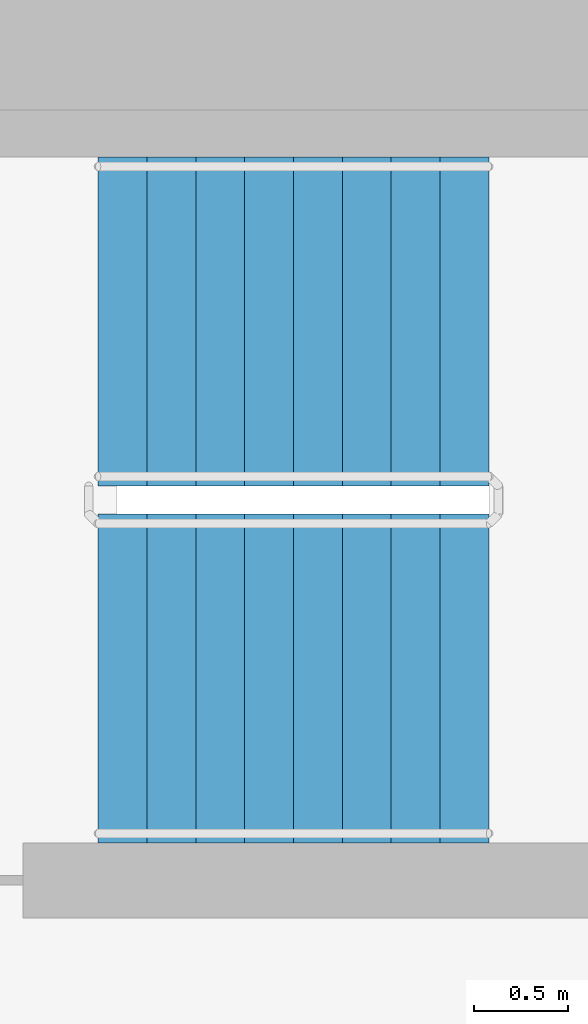
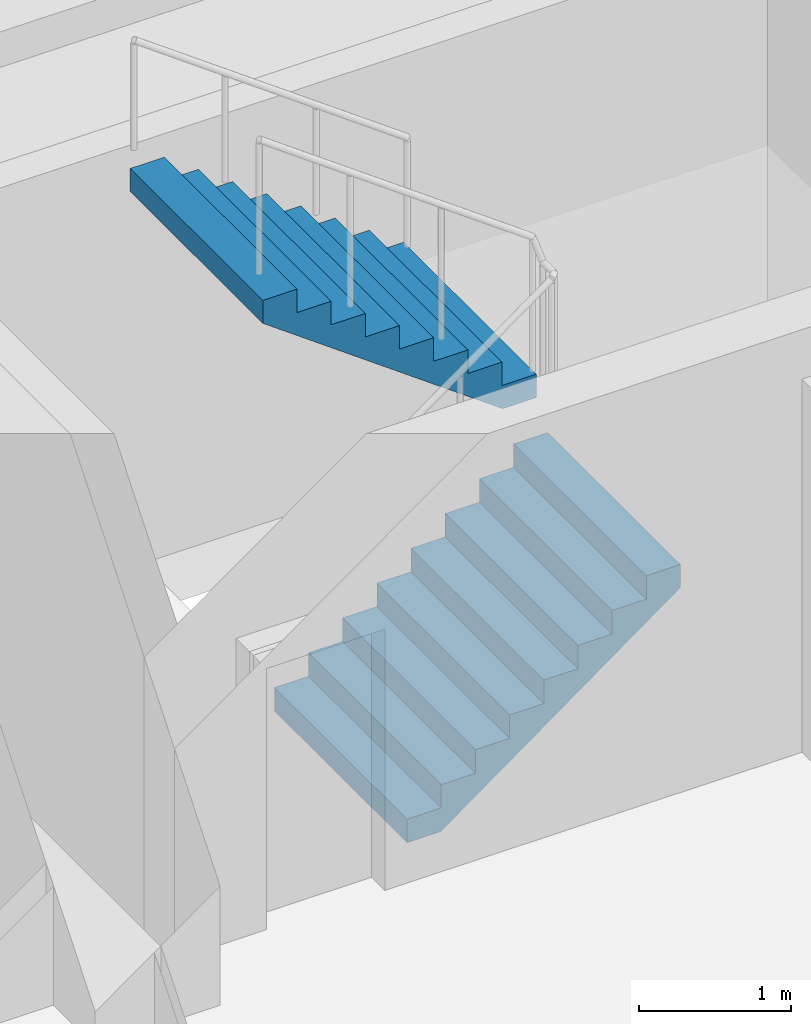
# One storey, part 17 of 22: 2 stair flights, 1 element without a shape of its own.
"""IFC4 building model written with IfcOpenShell, lengths in metres."""

from ifc_helpers import new_model, si_unit, direction, frame, origin, place, context, subcontext, project, spatial, faceted_brep, material, type_object, element, aggregate, save


model = new_model("IFC4")

# Units and contexts
model_context = context("Model", 3, precision=1e-05, world=origin(), true_north=direction((0.0, 1.0)))
body_context = subcontext(model_context, "Body", "Model", "MODEL_VIEW")
ifc_project = project(units=[si_unit("LENGTHUNIT", "METRE"), si_unit("AREAUNIT", "SQUARE_METRE"), si_unit("VOLUMEUNIT", "CUBIC_METRE"), si_unit("PLANEANGLEUNIT", "RADIAN"), si_unit("MASSUNIT", "GRAM", prefix="KILO")], contexts=[model_context])

# Site, building, storey
site_placement = place(None, origin())
site = spatial("IfcSite", under=ifc_project, at=site_placement, CompositionType="ELEMENT")
building_placement = place(site_placement, origin())
building = spatial("IfcBuilding", under=site, at=building_placement, Name="Ipe Terrace Towers", CompositionType="ELEMENT")
storey_placement = place(building_placement, frame((0.0, 0.0, 110.60009765625)))
storey = spatial("IfcBuildingStorey", under=building, at=storey_placement, Name="L30", CompositionType="ELEMENT", Elevation=110.60009765625)

# Stair, stair flights
ifc_material_1 = material(Name="Concrete C30/37", Category="concrete")
stair_type = type_object("IfcStairType", Name="Protected exit stair", PredefinedType="HALF_TURN_STAIR", material=ifc_material_1)
stair_placement = place(storey_placement, origin())
stair = element("IfcStair", 1, at=stair_placement, inside=storey, type_object=stair_type, Name="L30 Exit stair T1-C1", PredefinedType="HALF_TURN_STAIR")
ifc_material_2 = material(Name="Concrete C30/37", Category="concrete")
stair_flight_type = type_object("IfcStairFlightType", Name="Exit stair flight 1750", PredefinedType="STRAIGHT", material=ifc_material_2)
stair_flight_1_placement = place(storey_placement, frame((-26.300048828125, 2.77490234375, 0.0), z_axis=(0.0, 0.0, 1.0), x_axis=(1.0, 0.0, 0.0)))
stair_flight_1 = element("IfcStairFlight", 2, at=stair_flight_1_placement, type_object=stair_flight_type, Name="T1-ST1 flight 1", NumberOfRisers=9, NumberOfTreads=8, PredefinedType="STRAIGHT", RiserHeight=0.188888889, TreadLength=0.26, context=body_context, shape_type="Brep", body=[
    faceted_brep([(0.255126953125, -0.875, 0.0), (2.080078125, -0.875, 1.325927734375), (2.080078125, -0.875, 1.51123046875), (1.820068359375, -0.875, 1.51123046875), (1.820068359375, -0.875, 1.322265625), (1.56005859375, -0.875, 1.322265625), (1.56005859375, -0.875, 1.13330078125), (1.300048828125, -0.875, 1.13330078125), (1.300048828125, -0.875, 0.9443359375), (1.0400390625, -0.875, 0.9443359375), (1.0400390625, -0.875, 0.755615234375), (0.780029296875, -0.875, 0.755615234375), (0.780029296875, -0.875, 0.566650390625), (0.52001953125, -0.875, 0.566650390625), (0.52001953125, -0.875, 0.377685546875), (0.260009765625, -0.875, 0.377685546875), (0.260009765625, -0.875, 0.18896484375), (0.0, -0.875, 0.18896484375), (0.0, -0.875, 0.0), (0.0, 0.875, 0.0), (0.0, 0.875, 0.18896484375), (0.260009765625, 0.875, 0.18896484375), (0.260009765625, 0.875, 0.377685546875), (0.52001953125, 0.875, 0.377685546875), (0.52001953125, 0.875, 0.566650390625), (0.780029296875, 0.875, 0.566650390625), (0.780029296875, 0.875, 0.755615234375), (1.0400390625, 0.875, 0.755615234375), (1.0400390625, 0.875, 0.9443359375), (1.300048828125, 0.875, 0.9443359375), (1.300048828125, 0.875, 1.13330078125), (1.56005859375, 0.875, 1.13330078125), (1.56005859375, 0.875, 1.322265625), (1.820068359375, 0.875, 1.322265625), (1.820068359375, 0.875, 1.51123046875), (2.080078125, 0.875, 1.51123046875), (2.080078125, 0.875, 1.325927734375), (0.255126953125, 0.875, 0.0), (0.0, -0.300048828125, 0.18896484375), (0.0, -0.1201171875, 0.18896484375), (0.0, -0.06005859375, 0.18896484375), (0.0, -0.030029296875, 0.18896484375), (0.0, -0.010009765625, 0.18896484375), (0.0, 0.0, 0.18896484375), (0.0, 0.010009765625, 0.18896484375), (0.0, 0.030029296875, 0.18896484375), (0.0, 0.06005859375, 0.18896484375), (0.0, 0.1201171875, 0.18896484375), (0.0, 0.300048828125, 0.18896484375), (0.0, 0.300048828125, 0.0), (0.0, 0.1201171875, 0.0), (0.0, 0.06005859375, 0.0), (0.0, 0.030029296875, 0.0), (0.0, 0.010009765625, 0.0), (0.0, 0.0, 0.0), (0.0, -0.010009765625, 0.0), (0.0, -0.030029296875, 0.0), (0.0, -0.06005859375, 0.0), (0.0, -0.1201171875, 0.0), (0.0, -0.300048828125, 0.0), (0.260009765625, -0.300048828125, 0.18896484375), (0.260009765625, -0.1201171875, 0.18896484375), (0.260009765625, -0.06005859375, 0.18896484375), (0.260009765625, -0.030029296875, 0.18896484375), (0.260009765625, -0.010009765625, 0.18896484375), (0.260009765625, 0.0, 0.18896484375), (0.260009765625, 0.010009765625, 0.18896484375), (0.260009765625, 0.030029296875, 0.18896484375), (0.260009765625, 0.06005859375, 0.18896484375), (0.260009765625, 0.1201171875, 0.18896484375), (0.260009765625, 0.300048828125, 0.18896484375), (0.260009765625, -0.300048828125, 0.377685546875), (0.260009765625, -0.1201171875, 0.377685546875), (0.260009765625, -0.06005859375, 0.377685546875), (0.260009765625, -0.030029296875, 0.377685546875), (0.260009765625, -0.010009765625, 0.377685546875), (0.260009765625, 0.0, 0.377685546875), (0.260009765625, 0.010009765625, 0.377685546875), (0.260009765625, 0.030029296875, 0.377685546875), (0.260009765625, 0.06005859375, 0.377685546875), (0.260009765625, 0.1201171875, 0.377685546875), (0.260009765625, 0.300048828125, 0.377685546875), (0.52001953125, -0.300048828125, 0.377685546875), (0.52001953125, -0.1201171875, 0.377685546875), (0.52001953125, -0.06005859375, 0.377685546875), (0.52001953125, -0.030029296875, 0.377685546875), (0.52001953125, -0.010009765625, 0.377685546875), (0.52001953125, 0.0, 0.377685546875), (0.52001953125, 0.010009765625, 0.377685546875), (0.52001953125, 0.030029296875, 0.377685546875), (0.52001953125, 0.06005859375, 0.377685546875), (0.52001953125, 0.1201171875, 0.377685546875), (0.52001953125, 0.300048828125, 0.377685546875), (0.52001953125, -0.300048828125, 0.566650390625), (0.52001953125, -0.1201171875, 0.566650390625), (0.52001953125, -0.06005859375, 0.566650390625), (0.52001953125, -0.030029296875, 0.566650390625), (0.52001953125, -0.010009765625, 0.566650390625), (0.52001953125, 0.0, 0.566650390625), (0.52001953125, 0.010009765625, 0.566650390625), (0.52001953125, 0.030029296875, 0.566650390625), (0.52001953125, 0.06005859375, 0.566650390625), (0.52001953125, 0.1201171875, 0.566650390625), (0.52001953125, 0.300048828125, 0.566650390625), (0.780029296875, -0.300048828125, 0.566650390625), (0.780029296875, -0.1201171875, 0.566650390625), (0.780029296875, -0.06005859375, 0.566650390625), (0.780029296875, -0.030029296875, 0.566650390625), (0.780029296875, -0.010009765625, 0.566650390625), (0.780029296875, 0.0, 0.566650390625), (0.780029296875, 0.010009765625, 0.566650390625), (0.780029296875, 0.030029296875, 0.566650390625), (0.780029296875, 0.06005859375, 0.566650390625), (0.780029296875, 0.1201171875, 0.566650390625), (0.780029296875, 0.300048828125, 0.566650390625), (0.780029296875, -0.300048828125, 0.755615234375), (0.780029296875, -0.1201171875, 0.755615234375), (0.780029296875, -0.06005859375, 0.755615234375), (0.780029296875, -0.030029296875, 0.755615234375), (0.780029296875, -0.010009765625, 0.755615234375), (0.780029296875, 0.0, 0.755615234375), (0.780029296875, 0.010009765625, 0.755615234375), (0.780029296875, 0.030029296875, 0.755615234375), (0.780029296875, 0.06005859375, 0.755615234375), (0.780029296875, 0.1201171875, 0.755615234375), (0.780029296875, 0.300048828125, 0.755615234375), (1.0400390625, -0.300048828125, 0.755615234375), (1.0400390625, -0.1201171875, 0.755615234375), (1.0400390625, -0.06005859375, 0.755615234375), (1.0400390625, -0.030029296875, 0.755615234375), (1.0400390625, -0.010009765625, 0.755615234375), (1.0400390625, 0.0, 0.755615234375), (1.0400390625, 0.010009765625, 0.755615234375), (1.0400390625, 0.030029296875, 0.755615234375), (1.0400390625, 0.06005859375, 0.755615234375), (1.0400390625, 0.1201171875, 0.755615234375), (1.0400390625, 0.300048828125, 0.755615234375), (1.0400390625, -0.300048828125, 0.9443359375), (1.0400390625, -0.1201171875, 0.9443359375), (1.0400390625, -0.06005859375, 0.9443359375), (1.0400390625, -0.030029296875, 0.9443359375), (1.0400390625, -0.010009765625, 0.9443359375), (1.0400390625, 0.0, 0.9443359375), (1.0400390625, 0.010009765625, 0.9443359375), (1.0400390625, 0.030029296875, 0.9443359375), (1.0400390625, 0.06005859375, 0.9443359375), (1.0400390625, 0.1201171875, 0.9443359375), (1.0400390625, 0.300048828125, 0.9443359375), (1.300048828125, -0.300048828125, 0.9443359375), (1.300048828125, -0.1201171875, 0.9443359375), (1.300048828125, -0.06005859375, 0.9443359375), (1.300048828125, -0.030029296875, 0.9443359375), (1.300048828125, -0.010009765625, 0.9443359375), (1.300048828125, 0.0, 0.9443359375), (1.300048828125, 0.010009765625, 0.9443359375), (1.300048828125, 0.030029296875, 0.9443359375), (1.300048828125, 0.06005859375, 0.9443359375), (1.300048828125, 0.1201171875, 0.9443359375), (1.300048828125, 0.300048828125, 0.9443359375), (1.300048828125, -0.300048828125, 1.13330078125), (1.300048828125, -0.1201171875, 1.13330078125), (1.300048828125, -0.06005859375, 1.13330078125), (1.300048828125, -0.030029296875, 1.13330078125), (1.300048828125, -0.010009765625, 1.13330078125), (1.300048828125, 0.0, 1.13330078125), (1.300048828125, 0.010009765625, 1.13330078125), (1.300048828125, 0.030029296875, 1.13330078125), (1.300048828125, 0.06005859375, 1.13330078125), (1.300048828125, 0.1201171875, 1.13330078125), (1.300048828125, 0.300048828125, 1.13330078125), (1.56005859375, -0.300048828125, 1.13330078125), (1.56005859375, -0.1201171875, 1.13330078125), (1.56005859375, -0.06005859375, 1.13330078125), (1.56005859375, -0.030029296875, 1.13330078125), (1.56005859375, -0.010009765625, 1.13330078125), (1.56005859375, 0.0, 1.13330078125), (1.56005859375, 0.010009765625, 1.13330078125), (1.56005859375, 0.030029296875, 1.13330078125), (1.56005859375, 0.06005859375, 1.13330078125), (1.56005859375, 0.1201171875, 1.13330078125), (1.56005859375, 0.300048828125, 1.13330078125), (1.56005859375, -0.300048828125, 1.322265625), (1.56005859375, -0.1201171875, 1.322265625), (1.56005859375, -0.06005859375, 1.322265625), (1.56005859375, -0.030029296875, 1.322265625), (1.56005859375, -0.010009765625, 1.322265625), (1.56005859375, 0.0, 1.322265625), (1.56005859375, 0.010009765625, 1.322265625), (1.56005859375, 0.030029296875, 1.322265625), (1.56005859375, 0.06005859375, 1.322265625), (1.56005859375, 0.1201171875, 1.322265625), (1.56005859375, 0.300048828125, 1.322265625), (1.820068359375, -0.300048828125, 1.322265625), (1.820068359375, -0.1201171875, 1.322265625), (1.820068359375, -0.06005859375, 1.322265625), (1.820068359375, -0.030029296875, 1.322265625), (1.820068359375, -0.010009765625, 1.322265625), (1.820068359375, 0.0, 1.322265625), (1.820068359375, 0.010009765625, 1.322265625), (1.820068359375, 0.030029296875, 1.322265625), (1.820068359375, 0.06005859375, 1.322265625), (1.820068359375, 0.1201171875, 1.322265625), (1.820068359375, 0.300048828125, 1.322265625), (1.820068359375, -0.300048828125, 1.51123046875), (1.820068359375, -0.1201171875, 1.51123046875), (1.820068359375, -0.06005859375, 1.51123046875), (1.820068359375, -0.030029296875, 1.51123046875), (1.820068359375, -0.010009765625, 1.51123046875), (1.820068359375, 0.0, 1.51123046875), (1.820068359375, 0.010009765625, 1.51123046875), (1.820068359375, 0.030029296875, 1.51123046875), (1.820068359375, 0.06005859375, 1.51123046875), (1.820068359375, 0.1201171875, 1.51123046875), (1.820068359375, 0.300048828125, 1.51123046875), (2.080078125, -0.300048828125, 1.51123046875), (2.080078125, -0.1201171875, 1.51123046875), (2.080078125, -0.06005859375, 1.51123046875), (2.080078125, -0.030029296875, 1.51123046875), (2.080078125, -0.010009765625, 1.51123046875), (2.080078125, 0.0, 1.51123046875), (2.080078125, 0.010009765625, 1.51123046875), (2.080078125, 0.030029296875, 1.51123046875), (2.080078125, 0.06005859375, 1.51123046875), (2.080078125, 0.1201171875, 1.51123046875), (2.080078125, 0.300048828125, 1.51123046875), (2.080078125, -0.300048828125, 1.325927734375), (2.080078125, -0.1201171875, 1.325927734375), (2.080078125, -0.06005859375, 1.325927734375), (2.080078125, -0.030029296875, 1.325927734375), (2.080078125, -0.010009765625, 1.325927734375), (2.080078125, 0.0, 1.325927734375), (2.080078125, 0.010009765625, 1.325927734375), (2.080078125, 0.030029296875, 1.325927734375), (2.080078125, 0.06005859375, 1.325927734375), (2.080078125, 0.1201171875, 1.325927734375), (2.080078125, 0.300048828125, 1.325927734375), (0.255126953125, -0.300048828125, 0.0), (0.255126953125, -0.1201171875, 0.0), (0.255126953125, -0.06005859375, 0.0), (0.255126953125, -0.030029296875, 0.0), (0.255126953125, -0.010009765625, 0.0), (0.255126953125, 0.0, 0.0), (0.255126953125, 0.010009765625, 0.0), (0.255126953125, 0.030029296875, 0.0), (0.255126953125, 0.06005859375, 0.0), (0.255126953125, 0.1201171875, 0.0), (0.255126953125, 0.300048828125, 0.0)], [[[0, 1, 2, 3, 4, 5, 6, 7, 8, 9, 10, 11, 12, 13, 14, 15, 16, 17, 18]], [[19, 20, 21, 22, 23, 24, 25, 26, 27, 28, 29, 30, 31, 32, 33, 34, 35, 36, 37]], [[17, 38, 39, 40, 41, 42, 43, 44, 45, 46, 47, 48, 20, 19, 49, 50, 51, 52, 53, 54, 55, 56, 57, 58, 59, 18]], [[16, 60, 61, 62, 63, 64, 65, 66, 67, 68, 69, 70, 21, 20, 48, 47, 46, 45, 44, 43, 42, 41, 40, 39, 38, 17]], [[15, 71, 72, 73, 74, 75, 76, 77, 78, 79, 80, 81, 22, 21, 70, 69, 68, 67, 66, 65, 64, 63, 62, 61, 60, 16]], [[14, 82, 83, 84, 85, 86, 87, 88, 89, 90, 91, 92, 23, 22, 81, 80, 79, 78, 77, 76, 75, 74, 73, 72, 71, 15]], [[13, 93, 94, 95, 96, 97, 98, 99, 100, 101, 102, 103, 24, 23, 92, 91, 90, 89, 88, 87, 86, 85, 84, 83, 82, 14]], [[12, 104, 105, 106, 107, 108, 109, 110, 111, 112, 113, 114, 25, 24, 103, 102, 101, 100, 99, 98, 97, 96, 95, 94, 93, 13]], [[11, 115, 116, 117, 118, 119, 120, 121, 122, 123, 124, 125, 26, 25, 114, 113, 112, 111, 110, 109, 108, 107, 106, 105, 104, 12]], [[10, 126, 127, 128, 129, 130, 131, 132, 133, 134, 135, 136, 27, 26, 125, 124, 123, 122, 121, 120, 119, 118, 117, 116, 115, 11]], [[9, 137, 138, 139, 140, 141, 142, 143, 144, 145, 146, 147, 28, 27, 136, 135, 134, 133, 132, 131, 130, 129, 128, 127, 126, 10]], [[8, 148, 149, 150, 151, 152, 153, 154, 155, 156, 157, 158, 29, 28, 147, 146, 145, 144, 143, 142, 141, 140, 139, 138, 137, 9]], [[7, 159, 160, 161, 162, 163, 164, 165, 166, 167, 168, 169, 30, 29, 158, 157, 156, 155, 154, 153, 152, 151, 150, 149, 148, 8]], [[6, 170, 171, 172, 173, 174, 175, 176, 177, 178, 179, 180, 31, 30, 169, 168, 167, 166, 165, 164, 163, 162, 161, 160, 159, 7]], [[5, 181, 182, 183, 184, 185, 186, 187, 188, 189, 190, 191, 32, 31, 180, 179, 178, 177, 176, 175, 174, 173, 172, 171, 170, 6]], [[4, 192, 193, 194, 195, 196, 197, 198, 199, 200, 201, 202, 33, 32, 191, 190, 189, 188, 187, 186, 185, 184, 183, 182, 181, 5]], [[3, 203, 204, 205, 206, 207, 208, 209, 210, 211, 212, 213, 34, 33, 202, 201, 200, 199, 198, 197, 196, 195, 194, 193, 192, 4]], [[2, 214, 215, 216, 217, 218, 219, 220, 221, 222, 223, 224, 35, 34, 213, 212, 211, 210, 209, 208, 207, 206, 205, 204, 203, 3]], [[1, 225, 226, 227, 228, 229, 230, 231, 232, 233, 234, 235, 36, 35, 224, 223, 222, 221, 220, 219, 218, 217, 216, 215, 214, 2]], [[0, 236, 237, 238, 239, 240, 241, 242, 243, 244, 245, 246, 37, 36, 235, 234, 233, 232, 231, 230, 229, 228, 227, 226, 225, 1]], [[18, 59, 58, 57, 56, 55, 54, 53, 52, 51, 50, 49, 19, 37, 246, 245, 244, 243, 242, 241, 240, 239, 238, 237, 236, 0]]]),
])
stair_flight_2_placement = place(storey_placement, frame((-24.219970703125, 4.675048828125, 1.699951171875), z_axis=(0.0, 0.0, 1.0), x_axis=(-1.0, 0.0, 0.0)))
stair_flight_2 = element("IfcStairFlight", 3, at=stair_flight_2_placement, type_object=stair_flight_type, Name="T1-ST1 flight 2", NumberOfRisers=9, NumberOfTreads=8, PredefinedType="STRAIGHT", RiserHeight=0.188888889, TreadLength=0.26, context=body_context, shape_type="Brep", body=[
    faceted_brep([(0.255126953125, -0.875, 0.0), (2.080078125, -0.875, 1.325927734375), (2.080078125, -0.875, 1.51123046875), (1.820068359375, -0.875, 1.51123046875), (1.820068359375, -0.875, 1.322265625), (1.56005859375, -0.875, 1.322265625), (1.56005859375, -0.875, 1.13330078125), (1.300048828125, -0.875, 1.13330078125), (1.300048828125, -0.875, 0.9443359375), (1.0400390625, -0.875, 0.9443359375), (1.0400390625, -0.875, 0.755615234375), (0.780029296875, -0.875, 0.755615234375), (0.780029296875, -0.875, 0.566650390625), (0.52001953125, -0.875, 0.566650390625), (0.52001953125, -0.875, 0.377685546875), (0.260009765625, -0.875, 0.377685546875), (0.260009765625, -0.875, 0.18896484375), (0.0, -0.875, 0.18896484375), (0.0, -0.875, 0.0), (0.0, 0.875, 0.0), (0.0, 0.875, 0.18896484375), (0.260009765625, 0.875, 0.18896484375), (0.260009765625, 0.875, 0.377685546875), (0.52001953125, 0.875, 0.377685546875), (0.52001953125, 0.875, 0.566650390625), (0.780029296875, 0.875, 0.566650390625), (0.780029296875, 0.875, 0.755615234375), (1.0400390625, 0.875, 0.755615234375), (1.0400390625, 0.875, 0.9443359375), (1.300048828125, 0.875, 0.9443359375), (1.300048828125, 0.875, 1.13330078125), (1.56005859375, 0.875, 1.13330078125), (1.56005859375, 0.875, 1.322265625), (1.820068359375, 0.875, 1.322265625), (1.820068359375, 0.875, 1.51123046875), (2.080078125, 0.875, 1.51123046875), (2.080078125, 0.875, 1.325927734375), (0.255126953125, 0.875, 0.0), (0.0, -0.300048828125, 0.18896484375), (0.0, -0.1201171875, 0.18896484375), (0.0, -0.06005859375, 0.18896484375), (0.0, -0.030029296875, 0.18896484375), (0.0, -0.010009765625, 0.18896484375), (0.0, 0.0, 0.18896484375), (0.0, 0.010009765625, 0.18896484375), (0.0, 0.030029296875, 0.18896484375), (0.0, 0.06005859375, 0.18896484375), (0.0, 0.1201171875, 0.18896484375), (0.0, 0.300048828125, 0.18896484375), (0.0, 0.300048828125, 0.0), (0.0, 0.1201171875, 0.0), (0.0, 0.06005859375, 0.0), (0.0, 0.030029296875, 0.0), (0.0, 0.010009765625, 0.0), (0.0, 0.0, 0.0), (0.0, -0.010009765625, 0.0), (0.0, -0.030029296875, 0.0), (0.0, -0.06005859375, 0.0), (0.0, -0.1201171875, 0.0), (0.0, -0.300048828125, 0.0), (0.260009765625, -0.300048828125, 0.18896484375), (0.260009765625, -0.1201171875, 0.18896484375), (0.260009765625, -0.06005859375, 0.18896484375), (0.260009765625, -0.030029296875, 0.18896484375), (0.260009765625, -0.010009765625, 0.18896484375), (0.260009765625, 0.0, 0.18896484375), (0.260009765625, 0.010009765625, 0.18896484375), (0.260009765625, 0.030029296875, 0.18896484375), (0.260009765625, 0.06005859375, 0.18896484375), (0.260009765625, 0.1201171875, 0.18896484375), (0.260009765625, 0.300048828125, 0.18896484375), (0.260009765625, -0.300048828125, 0.377685546875), (0.260009765625, -0.1201171875, 0.377685546875), (0.260009765625, -0.06005859375, 0.377685546875), (0.260009765625, -0.030029296875, 0.377685546875), (0.260009765625, -0.010009765625, 0.377685546875), (0.260009765625, 0.0, 0.377685546875), (0.260009765625, 0.010009765625, 0.377685546875), (0.260009765625, 0.030029296875, 0.377685546875), (0.260009765625, 0.06005859375, 0.377685546875), (0.260009765625, 0.1201171875, 0.377685546875), (0.260009765625, 0.300048828125, 0.377685546875), (0.52001953125, -0.300048828125, 0.377685546875), (0.52001953125, -0.1201171875, 0.377685546875), (0.52001953125, -0.06005859375, 0.377685546875), (0.52001953125, -0.030029296875, 0.377685546875), (0.52001953125, -0.010009765625, 0.377685546875), (0.52001953125, 0.0, 0.377685546875), (0.52001953125, 0.010009765625, 0.377685546875), (0.52001953125, 0.030029296875, 0.377685546875), (0.52001953125, 0.06005859375, 0.377685546875), (0.52001953125, 0.1201171875, 0.377685546875), (0.52001953125, 0.300048828125, 0.377685546875), (0.52001953125, -0.300048828125, 0.566650390625), (0.52001953125, -0.1201171875, 0.566650390625), (0.52001953125, -0.06005859375, 0.566650390625), (0.52001953125, -0.030029296875, 0.566650390625), (0.52001953125, -0.010009765625, 0.566650390625), (0.52001953125, 0.0, 0.566650390625), (0.52001953125, 0.010009765625, 0.566650390625), (0.52001953125, 0.030029296875, 0.566650390625), (0.52001953125, 0.06005859375, 0.566650390625), (0.52001953125, 0.1201171875, 0.566650390625), (0.52001953125, 0.300048828125, 0.566650390625), (0.780029296875, -0.300048828125, 0.566650390625), (0.780029296875, -0.1201171875, 0.566650390625), (0.780029296875, -0.06005859375, 0.566650390625), (0.780029296875, -0.030029296875, 0.566650390625), (0.780029296875, -0.010009765625, 0.566650390625), (0.780029296875, 0.0, 0.566650390625), (0.780029296875, 0.010009765625, 0.566650390625), (0.780029296875, 0.030029296875, 0.566650390625), (0.780029296875, 0.06005859375, 0.566650390625), (0.780029296875, 0.1201171875, 0.566650390625), (0.780029296875, 0.300048828125, 0.566650390625), (0.780029296875, -0.300048828125, 0.755615234375), (0.780029296875, -0.1201171875, 0.755615234375), (0.780029296875, -0.06005859375, 0.755615234375), (0.780029296875, -0.030029296875, 0.755615234375), (0.780029296875, -0.010009765625, 0.755615234375), (0.780029296875, 0.0, 0.755615234375), (0.780029296875, 0.010009765625, 0.755615234375), (0.780029296875, 0.030029296875, 0.755615234375), (0.780029296875, 0.06005859375, 0.755615234375), (0.780029296875, 0.1201171875, 0.755615234375), (0.780029296875, 0.300048828125, 0.755615234375), (1.0400390625, -0.300048828125, 0.755615234375), (1.0400390625, -0.1201171875, 0.755615234375), (1.0400390625, -0.06005859375, 0.755615234375), (1.0400390625, -0.030029296875, 0.755615234375), (1.0400390625, -0.010009765625, 0.755615234375), (1.0400390625, 0.0, 0.755615234375), (1.0400390625, 0.010009765625, 0.755615234375), (1.0400390625, 0.030029296875, 0.755615234375), (1.0400390625, 0.06005859375, 0.755615234375), (1.0400390625, 0.1201171875, 0.755615234375), (1.0400390625, 0.300048828125, 0.755615234375), (1.0400390625, -0.300048828125, 0.9443359375), (1.0400390625, -0.1201171875, 0.9443359375), (1.0400390625, -0.06005859375, 0.9443359375), (1.0400390625, -0.030029296875, 0.9443359375), (1.0400390625, -0.010009765625, 0.9443359375), (1.0400390625, 0.0, 0.9443359375), (1.0400390625, 0.010009765625, 0.9443359375), (1.0400390625, 0.030029296875, 0.9443359375), (1.0400390625, 0.06005859375, 0.9443359375), (1.0400390625, 0.1201171875, 0.9443359375), (1.0400390625, 0.300048828125, 0.9443359375), (1.300048828125, -0.300048828125, 0.9443359375), (1.300048828125, -0.1201171875, 0.9443359375), (1.300048828125, -0.06005859375, 0.9443359375), (1.300048828125, -0.030029296875, 0.9443359375), (1.300048828125, -0.010009765625, 0.9443359375), (1.300048828125, 0.0, 0.9443359375), (1.300048828125, 0.010009765625, 0.9443359375), (1.300048828125, 0.030029296875, 0.9443359375), (1.300048828125, 0.06005859375, 0.9443359375), (1.300048828125, 0.1201171875, 0.9443359375), (1.300048828125, 0.300048828125, 0.9443359375), (1.300048828125, -0.300048828125, 1.13330078125), (1.300048828125, -0.1201171875, 1.13330078125), (1.300048828125, -0.06005859375, 1.13330078125), (1.300048828125, -0.030029296875, 1.13330078125), (1.300048828125, -0.010009765625, 1.13330078125), (1.300048828125, 0.0, 1.13330078125), (1.300048828125, 0.010009765625, 1.13330078125), (1.300048828125, 0.030029296875, 1.13330078125), (1.300048828125, 0.06005859375, 1.13330078125), (1.300048828125, 0.1201171875, 1.13330078125), (1.300048828125, 0.300048828125, 1.13330078125), (1.56005859375, -0.300048828125, 1.13330078125), (1.56005859375, -0.1201171875, 1.13330078125), (1.56005859375, -0.06005859375, 1.13330078125), (1.56005859375, -0.030029296875, 1.13330078125), (1.56005859375, -0.010009765625, 1.13330078125), (1.56005859375, 0.0, 1.13330078125), (1.56005859375, 0.010009765625, 1.13330078125), (1.56005859375, 0.030029296875, 1.13330078125), (1.56005859375, 0.06005859375, 1.13330078125), (1.56005859375, 0.1201171875, 1.13330078125), (1.56005859375, 0.300048828125, 1.13330078125), (1.56005859375, -0.300048828125, 1.322265625), (1.56005859375, -0.1201171875, 1.322265625), (1.56005859375, -0.06005859375, 1.322265625), (1.56005859375, -0.030029296875, 1.322265625), (1.56005859375, -0.010009765625, 1.322265625), (1.56005859375, 0.0, 1.322265625), (1.56005859375, 0.010009765625, 1.322265625), (1.56005859375, 0.030029296875, 1.322265625), (1.56005859375, 0.06005859375, 1.322265625), (1.56005859375, 0.1201171875, 1.322265625), (1.56005859375, 0.300048828125, 1.322265625), (1.820068359375, -0.300048828125, 1.322265625), (1.820068359375, -0.1201171875, 1.322265625), (1.820068359375, -0.06005859375, 1.322265625), (1.820068359375, -0.030029296875, 1.322265625), (1.820068359375, -0.010009765625, 1.322265625), (1.820068359375, 0.0, 1.322265625), (1.820068359375, 0.010009765625, 1.322265625), (1.820068359375, 0.030029296875, 1.322265625), (1.820068359375, 0.06005859375, 1.322265625), (1.820068359375, 0.1201171875, 1.322265625), (1.820068359375, 0.300048828125, 1.322265625), (1.820068359375, -0.300048828125, 1.51123046875), (1.820068359375, -0.1201171875, 1.51123046875), (1.820068359375, -0.06005859375, 1.51123046875), (1.820068359375, -0.030029296875, 1.51123046875), (1.820068359375, -0.010009765625, 1.51123046875), (1.820068359375, 0.0, 1.51123046875), (1.820068359375, 0.010009765625, 1.51123046875), (1.820068359375, 0.030029296875, 1.51123046875), (1.820068359375, 0.06005859375, 1.51123046875), (1.820068359375, 0.1201171875, 1.51123046875), (1.820068359375, 0.300048828125, 1.51123046875), (2.080078125, -0.300048828125, 1.51123046875), (2.080078125, -0.1201171875, 1.51123046875), (2.080078125, -0.06005859375, 1.51123046875), (2.080078125, -0.030029296875, 1.51123046875), (2.080078125, -0.010009765625, 1.51123046875), (2.080078125, 0.0, 1.51123046875), (2.080078125, 0.010009765625, 1.51123046875), (2.080078125, 0.030029296875, 1.51123046875), (2.080078125, 0.06005859375, 1.51123046875), (2.080078125, 0.1201171875, 1.51123046875), (2.080078125, 0.300048828125, 1.51123046875), (2.080078125, -0.300048828125, 1.325927734375), (2.080078125, -0.1201171875, 1.325927734375), (2.080078125, -0.06005859375, 1.325927734375), (2.080078125, -0.030029296875, 1.325927734375), (2.080078125, -0.010009765625, 1.325927734375), (2.080078125, 0.0, 1.325927734375), (2.080078125, 0.010009765625, 1.325927734375), (2.080078125, 0.030029296875, 1.325927734375), (2.080078125, 0.06005859375, 1.325927734375), (2.080078125, 0.1201171875, 1.325927734375), (2.080078125, 0.300048828125, 1.325927734375), (0.255126953125, -0.300048828125, 0.0), (0.255126953125, -0.1201171875, 0.0), (0.255126953125, -0.06005859375, 0.0), (0.255126953125, -0.030029296875, 0.0), (0.255126953125, -0.010009765625, 0.0), (0.255126953125, 0.0, 0.0), (0.255126953125, 0.010009765625, 0.0), (0.255126953125, 0.030029296875, 0.0), (0.255126953125, 0.06005859375, 0.0), (0.255126953125, 0.1201171875, 0.0), (0.255126953125, 0.300048828125, 0.0)], [[[0, 1, 2, 3, 4, 5, 6, 7, 8, 9, 10, 11, 12, 13, 14, 15, 16, 17, 18]], [[19, 20, 21, 22, 23, 24, 25, 26, 27, 28, 29, 30, 31, 32, 33, 34, 35, 36, 37]], [[17, 38, 39, 40, 41, 42, 43, 44, 45, 46, 47, 48, 20, 19, 49, 50, 51, 52, 53, 54, 55, 56, 57, 58, 59, 18]], [[16, 60, 61, 62, 63, 64, 65, 66, 67, 68, 69, 70, 21, 20, 48, 47, 46, 45, 44, 43, 42, 41, 40, 39, 38, 17]], [[15, 71, 72, 73, 74, 75, 76, 77, 78, 79, 80, 81, 22, 21, 70, 69, 68, 67, 66, 65, 64, 63, 62, 61, 60, 16]], [[14, 82, 83, 84, 85, 86, 87, 88, 89, 90, 91, 92, 23, 22, 81, 80, 79, 78, 77, 76, 75, 74, 73, 72, 71, 15]], [[13, 93, 94, 95, 96, 97, 98, 99, 100, 101, 102, 103, 24, 23, 92, 91, 90, 89, 88, 87, 86, 85, 84, 83, 82, 14]], [[12, 104, 105, 106, 107, 108, 109, 110, 111, 112, 113, 114, 25, 24, 103, 102, 101, 100, 99, 98, 97, 96, 95, 94, 93, 13]], [[11, 115, 116, 117, 118, 119, 120, 121, 122, 123, 124, 125, 26, 25, 114, 113, 112, 111, 110, 109, 108, 107, 106, 105, 104, 12]], [[10, 126, 127, 128, 129, 130, 131, 132, 133, 134, 135, 136, 27, 26, 125, 124, 123, 122, 121, 120, 119, 118, 117, 116, 115, 11]], [[9, 137, 138, 139, 140, 141, 142, 143, 144, 145, 146, 147, 28, 27, 136, 135, 134, 133, 132, 131, 130, 129, 128, 127, 126, 10]], [[8, 148, 149, 150, 151, 152, 153, 154, 155, 156, 157, 158, 29, 28, 147, 146, 145, 144, 143, 142, 141, 140, 139, 138, 137, 9]], [[7, 159, 160, 161, 162, 163, 164, 165, 166, 167, 168, 169, 30, 29, 158, 157, 156, 155, 154, 153, 152, 151, 150, 149, 148, 8]], [[6, 170, 171, 172, 173, 174, 175, 176, 177, 178, 179, 180, 31, 30, 169, 168, 167, 166, 165, 164, 163, 162, 161, 160, 159, 7]], [[5, 181, 182, 183, 184, 185, 186, 187, 188, 189, 190, 191, 32, 31, 180, 179, 178, 177, 176, 175, 174, 173, 172, 171, 170, 6]], [[4, 192, 193, 194, 195, 196, 197, 198, 199, 200, 201, 202, 33, 32, 191, 190, 189, 188, 187, 186, 185, 184, 183, 182, 181, 5]], [[3, 203, 204, 205, 206, 207, 208, 209, 210, 211, 212, 213, 34, 33, 202, 201, 200, 199, 198, 197, 196, 195, 194, 193, 192, 4]], [[2, 214, 215, 216, 217, 218, 219, 220, 221, 222, 223, 224, 35, 34, 213, 212, 211, 210, 209, 208, 207, 206, 205, 204, 203, 3]], [[1, 225, 226, 227, 228, 229, 230, 231, 232, 233, 234, 235, 36, 35, 224, 223, 222, 221, 220, 219, 218, 217, 216, 215, 214, 2]], [[0, 236, 237, 238, 239, 240, 241, 242, 243, 244, 245, 246, 37, 36, 235, 234, 233, 232, 231, 230, 229, 228, 227, 226, 225, 1]], [[18, 59, 58, 57, 56, 55, 54, 53, 52, 51, 50, 49, 19, 37, 246, 245, 244, 243, 242, 241, 240, 239, 238, 237, 236, 0]]]),
])
aggregate(stair, [stair_flight_1, stair_flight_2])

save(model, "model.ifc")
